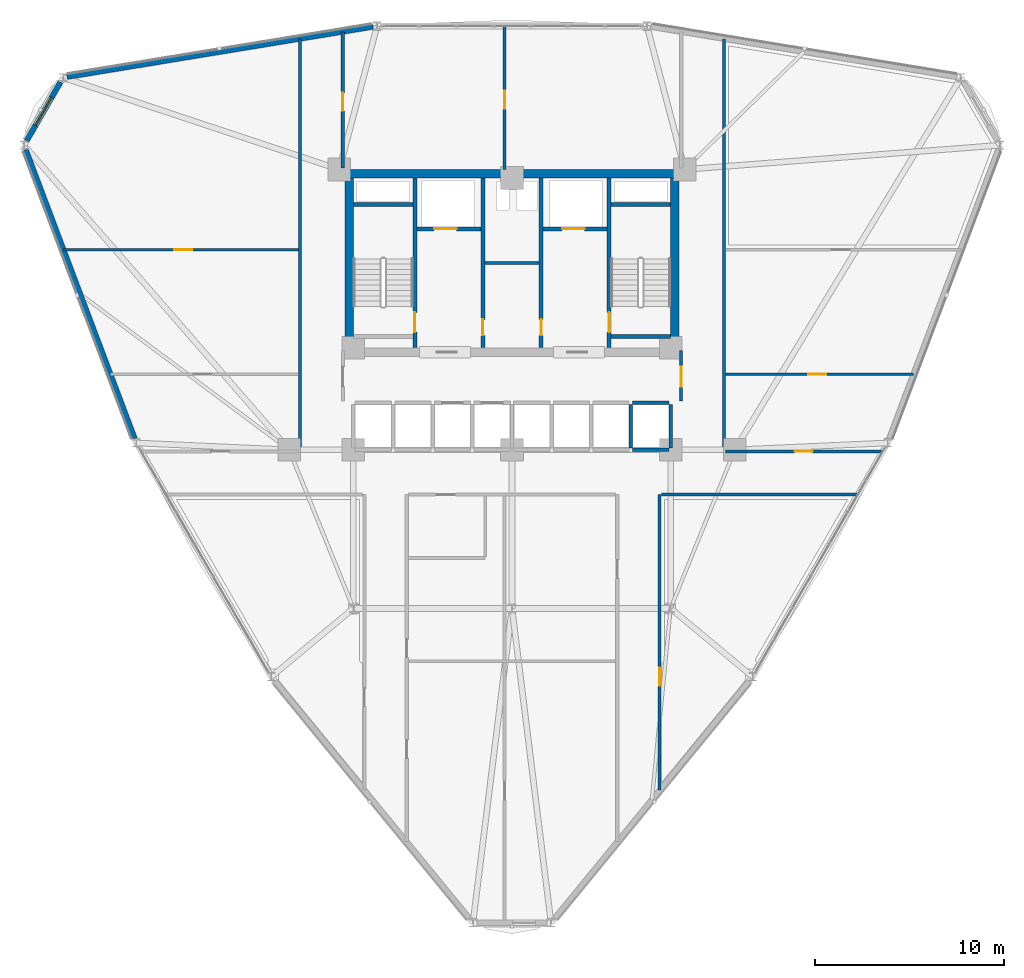
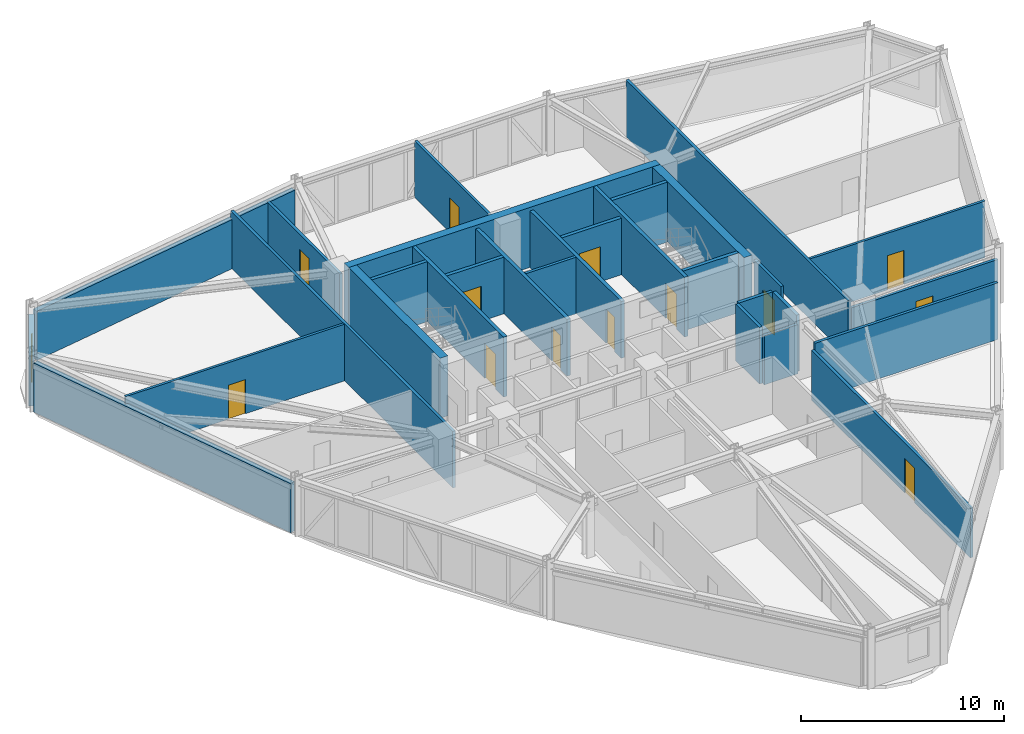
# One storey, part 13 of 17: 30 walls, 13 doors, 1 window, 14 openings.
"""IFC4 building model written with IfcOpenShell, lengths in metres."""

from ifc_helpers import new_model, si_unit, derived_unit, direction, frame, frame_2d, origin, place, context, subcontext, project, spatial, rectangle, extrude, material, layer, layer_set, type_object, element, fill, save


model = new_model("IFC4")

# Units and contexts
model_context = context("Model", 3, precision=1e-05, world=origin(), true_north=direction((0.0, 1.0)))
body_context = subcontext(model_context, "Body", "Model", "MODEL_VIEW")
ifc_project = project(units=[si_unit("LENGTHUNIT", "METRE"), si_unit("AREAUNIT", "SQUARE_METRE"), si_unit("VOLUMEUNIT", "CUBIC_METRE"), si_unit("PLANEANGLEUNIT", "RADIAN"), si_unit("MASSUNIT", "GRAM", prefix="KILO"), derived_unit("THERMALTRANSMITTANCEUNIT", [(si_unit("POWERUNIT", "WATT"), 1), (si_unit("LENGTHUNIT", "METRE"), -2), (si_unit("THERMODYNAMICTEMPERATUREUNIT", "KELVIN"), -1)])], contexts=[model_context])

# Site, building, storey
site_placement = place(None, origin())
site = spatial("IfcSite", under=ifc_project, at=site_placement, CompositionType="ELEMENT")
building_placement = place(site_placement, origin())
building = spatial("IfcBuilding", under=site, at=building_placement, Name="Korsvarv Bourse and Concert Hall", CompositionType="ELEMENT")
storey_placement = place(building_placement, frame((0.0, 0.0, 102.60009765625)))
storey = spatial("IfcBuildingStorey", under=building, at=storey_placement, Name="L25", CompositionType="ELEMENT", Elevation=102.60009765625)

# Wall, opening, door
ifc_material_1 = material(Name="Concrete C50/60", Category="concrete")
ifc_layer_1 = layer(ifc_material_1, 0.3798828125)
ifc_layer_set_1 = layer_set([ifc_layer_1], Name="Concrete C50/60")
wall_type_1 = type_object("IfcWallType", Name="WL-CORE-380", PredefinedType="SHEAR", material=ifc_layer_set_1)
wall_1_placement = place(storey_placement, frame((30.860107421875, 37.81005859375, 0.0), z_axis=(0.0, 0.0, 1.0), x_axis=(0.0, 1.0, 0.0)))
wall_1 = element("IfcWall", 1, at=wall_1_placement, inside=storey, type_object=wall_type_1, Name="L25 stair shaft structural wall W-L25-ST1-E", PredefinedType="SHEAR", context=body_context, shape_type="SweptSolid", body=[
    extrude(rectangle(XDim=8.97998046875, YDim=0.199951171875, at=frame_2d((4.489990234375, 0.0))), origin(), (0.0, 0.0, 1.0), 3.599853515625),
])
opening_1_placement = place(wall_1_placement, frame((0.820068359375, 0.0, 0.0)))
opening_1 = element("IfcOpeningElement", 2, at=opening_1_placement, cuts=wall_1, Name="Opening D-01", PredefinedType="OPENING", context=body_context, shape_type="SweptSolid", body=[
    extrude(rectangle(XDim=1.050048828125, YDim=2.10009765625, at=frame_2d((0.52490234375, 1.050048828125))), frame((0.0, 0.10986328125, 0.0), z_axis=(0.0, -1.0, 0.0), x_axis=(1.0, 0.0, 0.0)), (0.0, 0.0, 1.0), 0.219970703125),
])
ifc_material_2 = material(Name="Steel S355 fire door", Category="steel")
door_type_1 = type_object("IfcDoorType", Name="DR-FD60", OperationType="NOTDEFINED", PredefinedType="DOOR", material=ifc_material_2)
door_1_placement = place(opening_1_placement, origin())
door_1 = element("IfcDoor", 3, at=door_1_placement, inside=storey, type_object=door_type_1, Name="L25 interior door DR-L25-ST1", OperationType="SINGLE_SWING_RIGHT", OverallHeight=2.10009765625, OverallWidth=1.050048828125, PredefinedType="DOOR", context=body_context, shape_type="SweptSolid", body=[
    extrude(rectangle(XDim=1.050048828125, YDim=2.10009765625, at=frame_2d((0.52490234375, 1.050048828125))), frame((0.0, 0.02490234375, 0.0), z_axis=(0.0, -1.0, 0.0), x_axis=(1.0, 0.0, 0.0)), (0.0, 0.0, 1.0), 0.050048828125),
])
fill(opening_1, door_1)

# Wall
wall_2_placement = place(storey_placement, frame((27.610107421875, 45.39990234375, 0.0), z_axis=(0.0, 0.0, 1.0), x_axis=(1.0, 0.0, 0.0)))
element("IfcWall", 4, at=wall_2_placement, inside=storey, type_object=wall_type_1, Name="L25 stair shaft structural wall W-L25-ST1-N", PredefinedType="SHEAR", context=body_context, shape_type="SweptSolid", body=[
    extrude(rectangle(XDim=3.139892578125, YDim=0.199951171875, at=frame_2d((1.56982421875, 0.0))), origin(), (0.0, 0.0, 1.0), 3.599853515625),
])

# Wall, opening, door
wall_3_placement = place(storey_placement, frame((41.139892578125, 37.81005859375, 0.0), z_axis=(0.0, 0.0, 1.0), x_axis=(0.0, 1.0, 0.0)))
wall_3 = element("IfcWall", 5, at=wall_3_placement, inside=storey, type_object=wall_type_1, Name="L25 stair shaft structural wall W-L25-ST2-W", PredefinedType="SHEAR", context=body_context, shape_type="SweptSolid", body=[
    extrude(rectangle(XDim=8.97998046875, YDim=0.199951171875, at=frame_2d((4.489990234375, 0.0))), origin(), (0.0, 0.0, 1.0), 3.599853515625),
])
opening_2_placement = place(wall_3_placement, frame((0.820068359375, 0.0, 0.0)))
opening_2 = element("IfcOpeningElement", 6, at=opening_2_placement, cuts=wall_3, Name="Opening D-01", PredefinedType="OPENING", context=body_context, shape_type="SweptSolid", body=[
    extrude(rectangle(XDim=1.050048828125, YDim=2.10009765625, at=frame_2d((0.52490234375, 1.050048828125))), frame((0.0, 0.10986328125, 0.0), z_axis=(0.0, -1.0, 0.0), x_axis=(1.0, 0.0, 0.0)), (0.0, 0.0, 1.0), 0.219970703125),
])
door_2_placement = place(opening_2_placement, frame((1.050048828125, 0.0, 0.0), z_axis=(0.0, 0.0, 1.0), x_axis=(-1.0, 0.0, 0.0)))
door_2 = element("IfcDoor", 7, at=door_2_placement, inside=storey, type_object=door_type_1, Name="L25 interior door DR-L25-ST2", OperationType="SINGLE_SWING_LEFT", OverallHeight=2.10009765625, OverallWidth=1.050048828125, PredefinedType="DOOR", context=body_context, shape_type="SweptSolid", body=[
    extrude(rectangle(XDim=1.050048828125, YDim=2.10009765625, at=frame_2d((0.52490234375, 1.050048828125))), frame((0.0, 0.02490234375, 0.0), z_axis=(0.0, -1.0, 0.0), x_axis=(1.0, 0.0, 0.0)), (0.0, 0.0, 1.0), 0.050048828125),
])
fill(opening_2, door_2)

# Walls
for number, where, z_axis, x_axis, name in (
    (8, (41.25, 45.39990234375, 0.0), (0.0, 0.0, 1.0), (1.0, 0.0, 0.0), "L25 stair shaft structural wall W-L25-ST2-N"),
    (9, (41.25, 38.39990234375, 0.0), (0.0, 0.0, 1.0), (1.0, 0.0, 0.0), "L25 stair shaft structural wall W-L25-ST2-S"),
):
    element("IfcWall", number, at=place(storey_placement, frame(where, z_axis=z_axis, x_axis=x_axis)), inside=storey, type_object=wall_type_1, Name=name, PredefinedType="SHEAR", context=body_context, shape_type="SweptSolid", body=[
        extrude(rectangle(XDim=3.139892578125, YDim=0.199951171875, at=frame_2d((1.56982421875, 0.0))), origin(), (0.0, 0.0, 1.0), 3.599853515625),
    ])
ifc_material_3 = material(Name="Concrete C55/67", Category="concrete")
ifc_layer_2 = layer(ifc_material_3, 0.449951171875)
ifc_layer_set_2 = layer_set([ifc_layer_2], Name="Concrete C55/67")
wall_type_2 = type_object("IfcWallType", Name="WL-CORE-450", PredefinedType="SHEAR", material=ifc_layer_set_2)
wall_4_placement = place(storey_placement, frame((27.14990234375, 47.02490234375, 0.0), z_axis=(0.0, 0.0, 1.0), x_axis=(1.0, 0.0, 0.0)))
element("IfcWall", 10, at=wall_4_placement, inside=storey, type_object=wall_type_2, Name="L25 North Core Shear Wall", PredefinedType="SHEAR", context=body_context, shape_type="SweptSolid", body=[
    extrude(rectangle(XDim=17.7001953125, YDim=0.449951171875, at=frame_2d((8.85009765625, 0.0))), origin(), (0.0, 0.0, 1.0), 3.599853515625),
])
for number, where, z_axis, x_axis, name in (
    (11, (27.375, 37.800048828125, 0.0), (0.0, 0.0, 1.0), (0.0, 1.0, 0.0), "L25 West Core Shear Wall"),
    (12, (44.625, 37.800048828125, 0.0), (0.0, 0.0, 1.0), (0.0, 1.0, 0.0), "L25 East Core Shear Wall"),
):
    element("IfcWall", number, at=place(storey_placement, frame(where, z_axis=z_axis, x_axis=x_axis)), inside=storey, type_object=wall_type_2, Name=name, PredefinedType="SHEAR", context=body_context, shape_type="SweptSolid", body=[
        extrude(rectangle(XDim=9.0, YDim=0.449951171875, at=frame_2d((4.5, 0.0))), origin(), (0.0, 0.0, 1.0), 3.599853515625),
    ])

# Wall, opening, window
ifc_material_4 = material(Name="Precast concrete C45/55 with terracotta rainscreen", Category="concrete")
ifc_layer_3 = layer(ifc_material_4, 0.300048828125)
ifc_layer_set_3 = layer_set([ifc_layer_3], Name="Precast concrete C45/55 with terracotta rainscreen")
wall_type_3 = type_object("IfcWallType", Name="WL-EXT-TC1", PredefinedType="SOLIDWALL", material=ifc_layer_set_3)
wall_5_placement = place(storey_placement, frame((12.0830078125, 51.886962890625, 0.0), z_axis=(0.0, 0.0, 1.0), x_axis=(-0.500012057535, -0.866018442252, 0.0)))
wall_5 = element("IfcWall", 13, at=wall_5_placement, inside=storey, type_object=wall_type_3, Name="L25 terracotta exterior wall EW-L25-B05", PredefinedType="SOLIDWALL", context=body_context, shape_type="SweptSolid", body=[
    extrude(rectangle(XDim=3.60009765625, YDim=0.300048828125, at=frame_2d((1.800048828125, 0.0))), origin(), (0.0, 0.0, 1.0), 3.0),
])
opening_3_placement = place(wall_5_placement, frame((0.949951171875, 0.0, 0.75)))
opening_3 = element("IfcOpeningElement", 14, at=opening_3_placement, cuts=wall_5, Name="Opening W-01", PredefinedType="OPENING", context=body_context, shape_type="SweptSolid", body=[
    extrude(rectangle(XDim=1.699951171875, YDim=1.75, at=frame_2d((0.85009765625, 0.875))), frame((0.0, 0.16015625, 0.0), z_axis=(0.0, -1.0, 0.0), x_axis=(1.0, 0.0, 0.0)), (0.0, 0.0, 1.0), 0.320068359375),
])
ifc_material_5 = material(Name="Thermally broken aluminium frame with triple low-E glass", Category="glass")
window_type = type_object("IfcWindowType", Name="WIN-TW1", PartitioningType="SINGLE_PANEL", PredefinedType="WINDOW", material=ifc_material_5)
window_placement = place(opening_3_placement, origin())
window = element("IfcWindow", 15, at=window_placement, inside=storey, type_object=window_type, Name="L25 punched facade window W-01", OverallHeight=1.75, OverallWidth=1.699951171875, PartitioningType="SINGLE_PANEL", PredefinedType="WINDOW", context=body_context, shape_type="SweptSolid", body=[
    extrude(rectangle(XDim=1.699951171875, YDim=1.75, at=frame_2d((0.85009765625, 0.875))), frame((0.0, 0.030029296875, 0.0), z_axis=(0.0, -1.0, 0.0), x_axis=(1.0, 0.0, 0.0)), (0.0, 0.0, 1.0), 0.06005859375),
])
fill(opening_3, window)

# Walls
ifc_material_6 = material(Name="Precast concrete C45/55 with fluted terracotta pier", Category="concrete")
ifc_layer_4 = layer(ifc_material_6, 0.280029296875)
ifc_layer_set_4 = layer_set([ifc_layer_4], Name="Precast concrete C45/55 with fluted terracotta pier")
wall_type_4 = type_object("IfcWallType", Name="WL-EXT-TC2", PredefinedType="SOLIDWALL", material=ifc_layer_set_4)
wall_6_placement = place(storey_placement, frame((28.63671875, 54.81640625, 0.0), z_axis=(0.0, 0.0, 1.0), x_axis=(-0.986776921995, -0.162084256539, 0.0)))
element("IfcWall", 16, at=wall_6_placement, inside=storey, type_object=wall_type_4, Name="L25 terracotta exterior wall EW-L25-B04", PredefinedType="SOLIDWALL", context=body_context, shape_type="SweptSolid", body=[
    extrude(rectangle(XDim=16.422607421875, YDim=0.280029296875, at=frame_2d((8.21142578125, 0.0))), origin(), (0.0, 0.0, 1.0), 2.949951171875),
])
wall_7_placement = place(storey_placement, frame((10.236572265625, 48.30419921875, 0.0), z_axis=(0.0, 0.0, 1.0), x_axis=(0.353021512356, -0.935615204993, 0.0)))
element("IfcWall", 17, at=wall_7_placement, inside=storey, type_object=wall_type_4, Name="L25 terracotta exterior wall EW-L25-B06", PredefinedType="SOLIDWALL", context=body_context, shape_type="SweptSolid", body=[
    extrude(rectangle(XDim=16.359130859375, YDim=0.280029296875, at=frame_2d((8.1796875, 0.0))), origin(), (0.0, 0.0, 1.0), 2.949951171875),
])

# Wall, opening, door
ifc_material_7 = material(Name="Reinforced concrete blockwork C35/45 fire wall", Category="concrete")
ifc_layer_5 = layer(ifc_material_7, 0.199951171875)
ifc_layer_set_5 = layer_set([ifc_layer_5], Name="Reinforced concrete blockwork C35/45 fire wall")
wall_type_5 = type_object("IfcWallType", Name="WL-INT-EI120", PredefinedType="PARTITIONING", material=ifc_layer_set_5)
wall_8_placement = place(storey_placement, frame((30.969970703125, 44.10009765625, 0.0), z_axis=(0.0, 0.0, 1.0), x_axis=(1.0, 0.0, 0.0)))
wall_8 = element("IfcWall", 18, at=wall_8_placement, inside=storey, type_object=wall_type_5, Name="L25 interior partition wall W-L25-FF1-S", PredefinedType="PARTITIONING", context=body_context, shape_type="SweptSolid", body=[
    extrude(rectangle(XDim=3.380126953125, YDim=0.199951171875, at=frame_2d((1.68994140625, 0.0))), origin(), (0.0, 0.0, 1.0), 3.39990234375),
])
opening_4_placement = place(wall_8_placement, frame((0.89990234375, 0.0, 0.0)))
opening_4 = element("IfcOpeningElement", 19, at=opening_4_placement, cuts=wall_8, Name="Opening LD-1", PredefinedType="OPENING", context=body_context, shape_type="SweptSolid", body=[
    extrude(rectangle(XDim=1.199951171875, YDim=2.10009765625, at=frame_2d((0.60009765625, 1.050048828125))), frame((0.0, 0.10986328125, 0.0), z_axis=(0.0, -1.0, 0.0), x_axis=(1.0, 0.0, 0.0)), (0.0, 0.0, 1.0), 0.219970703125),
])
ifc_material_8 = material(Name="Stainless Steel S355 firefighting lift landing door", Category="steel")
door_type_2 = type_object("IfcDoorType", Name="DR-LIFT-FF", OperationType="DOUBLE_DOOR_SLIDING", PredefinedType="DOOR", material=ifc_material_8)
door_3_placement = place(opening_4_placement, origin())
door_3 = element("IfcDoor", 20, at=door_3_placement, inside=storey, type_object=door_type_2, Name="L25 lift sliding landing door LD-L25-FF1", OperationType="DOUBLE_DOOR_SLIDING", OverallHeight=2.10009765625, OverallWidth=1.199951171875, PredefinedType="DOOR", context=body_context, shape_type="SweptSolid", body=[
    extrude(rectangle(XDim=1.199951171875, YDim=2.10009765625, at=frame_2d((0.60009765625, 1.050048828125))), frame((0.0, 0.02490234375, 0.0), z_axis=(0.0, -1.0, 0.0), x_axis=(1.0, 0.0, 0.0)), (0.0, 0.0, 1.0), 0.050048828125),
])
fill(opening_4, door_3)

wall_9_placement = place(storey_placement, frame((37.64990234375, 44.10009765625, 0.0), z_axis=(0.0, 0.0, 1.0), x_axis=(1.0, 0.0, 0.0)))
wall_9 = element("IfcWall", 21, at=wall_9_placement, inside=storey, type_object=wall_type_5, Name="L25 interior partition wall W-L25-FF2-S", PredefinedType="PARTITIONING", context=body_context, shape_type="SweptSolid", body=[
    extrude(rectangle(XDim=3.380126953125, YDim=0.199951171875, at=frame_2d((1.68994140625, 0.0))), origin(), (0.0, 0.0, 1.0), 3.39990234375),
])
opening_5_placement = place(wall_9_placement, frame((1.0, 0.0, 0.0)))
opening_5 = element("IfcOpeningElement", 22, at=opening_5_placement, cuts=wall_9, Name="Opening LD-1", PredefinedType="OPENING", context=body_context, shape_type="SweptSolid", body=[
    extrude(rectangle(XDim=1.199951171875, YDim=2.10009765625, at=frame_2d((0.60009765625, 1.050048828125))), frame((0.0, 0.10986328125, 0.0), z_axis=(0.0, -1.0, 0.0), x_axis=(1.0, 0.0, 0.0)), (0.0, 0.0, 1.0), 0.219970703125),
])
door_4_placement = place(opening_5_placement, origin())
door_4 = element("IfcDoor", 23, at=door_4_placement, inside=storey, type_object=door_type_2, Name="L25 lift sliding landing door LD-L25-FF2", OperationType="DOUBLE_DOOR_SLIDING", OverallHeight=2.10009765625, OverallWidth=1.199951171875, PredefinedType="DOOR", context=body_context, shape_type="SweptSolid", body=[
    extrude(rectangle(XDim=1.199951171875, YDim=2.10009765625, at=frame_2d((0.60009765625, 1.050048828125))), frame((0.0, 0.02490234375, 0.0), z_axis=(0.0, -1.0, 0.0), x_axis=(1.0, 0.0, 0.0)), (0.0, 0.0, 1.0), 0.050048828125),
])
fill(opening_5, door_4)

wall_10_placement = place(storey_placement, frame((34.4599609375, 37.81005859375, 0.0), z_axis=(0.0, 0.0, 1.0), x_axis=(0.0, 1.0, 0.0)))
wall_10 = element("IfcWall", 24, at=wall_10_placement, inside=storey, type_object=wall_type_5, Name="L25 interior partition wall W-L25-CSB-W", PredefinedType="PARTITIONING", context=body_context, shape_type="SweptSolid", body=[
    extrude(rectangle(XDim=8.97998046875, YDim=0.199951171875, at=frame_2d((4.489990234375, 0.0))), origin(), (0.0, 0.0, 1.0), 3.39990234375),
])
opening_6_placement = place(wall_10_placement, frame((0.64990234375, 0.0, 0.0)))
opening_6 = element("IfcOpeningElement", 25, at=opening_6_placement, cuts=wall_10, Name="Opening D-05", PredefinedType="OPENING", context=body_context, shape_type="SweptSolid", body=[
    extrude(rectangle(XDim=0.85009765625, YDim=2.050048828125, at=frame_2d((0.425048828125, 1.02490234375))), frame((0.0, 0.10986328125, 0.0), z_axis=(0.0, -1.0, 0.0), x_axis=(1.0, 0.0, 0.0)), (0.0, 0.0, 1.0), 0.219970703125),
])
door_type_3 = type_object("IfcDoorType", Name="DR-FD60-850X2050", OperationType="NOTDEFINED", PredefinedType="DOOR", material=ifc_material_2)
door_5_placement = place(opening_6_placement, frame((0.85009765625, 0.0, 0.0), z_axis=(0.0, 0.0, 1.0), x_axis=(-1.0, 0.0, 0.0)))
door_5 = element("IfcDoor", 26, at=door_5_placement, inside=storey, type_object=door_type_3, Name="L25 interior door DR-L25-CSB1", OperationType="SINGLE_SWING_RIGHT", OverallHeight=2.050048828125, OverallWidth=0.85009765625, PredefinedType="DOOR", context=body_context, shape_type="SweptSolid", body=[
    extrude(rectangle(XDim=0.85009765625, YDim=2.050048828125, at=frame_2d((0.425048828125, 1.02490234375))), frame((0.0, 0.02490234375, 0.0), z_axis=(0.0, -1.0, 0.0), x_axis=(1.0, 0.0, 0.0)), (0.0, 0.0, 1.0), 0.050048828125),
])
fill(opening_6, door_5)

wall_11_placement = place(storey_placement, frame((37.5400390625, 37.81005859375, 0.0), z_axis=(0.0, 0.0, 1.0), x_axis=(0.0, 1.0, 0.0)))
wall_11 = element("IfcWall", 27, at=wall_11_placement, inside=storey, type_object=wall_type_5, Name="L25 interior partition wall W-L25-CSB-E", PredefinedType="PARTITIONING", context=body_context, shape_type="SweptSolid", body=[
    extrude(rectangle(XDim=8.97998046875, YDim=0.199951171875, at=frame_2d((4.489990234375, 0.0))), origin(), (0.0, 0.0, 1.0), 3.39990234375),
])
opening_7_placement = place(wall_11_placement, frame((0.64990234375, 0.0, 0.0)))
opening_7 = element("IfcOpeningElement", 28, at=opening_7_placement, cuts=wall_11, Name="Opening D-05", PredefinedType="OPENING", context=body_context, shape_type="SweptSolid", body=[
    extrude(rectangle(XDim=0.85009765625, YDim=2.050048828125, at=frame_2d((0.425048828125, 1.02490234375))), frame((0.0, 0.10986328125, 0.0), z_axis=(0.0, -1.0, 0.0), x_axis=(1.0, 0.0, 0.0)), (0.0, 0.0, 1.0), 0.219970703125),
])
door_6_placement = place(opening_7_placement, origin())
door_6 = element("IfcDoor", 29, at=door_6_placement, inside=storey, type_object=door_type_3, Name="L25 interior door DR-L25-CSB2", OperationType="SINGLE_SWING_LEFT", OverallHeight=2.050048828125, OverallWidth=0.85009765625, PredefinedType="DOOR", context=body_context, shape_type="SweptSolid", body=[
    extrude(rectangle(XDim=0.85009765625, YDim=2.050048828125, at=frame_2d((0.425048828125, 1.02490234375))), frame((0.0, 0.02490234375, 0.0), z_axis=(0.0, -1.0, 0.0), x_axis=(1.0, 0.0, 0.0)), (0.0, 0.0, 1.0), 0.050048828125),
])
fill(opening_7, door_6)

# Wall
ifc_material_9 = material(Name="Double-stud fire-rated acoustic partition", Category="gypsum")
ifc_layer_6 = layer(ifc_material_9, 0.159912109375)
ifc_layer_set_6 = layer_set([ifc_layer_6], Name="Double-stud fire-rated acoustic partition")
wall_type_6 = type_object("IfcWallType", Name="WL-INT-EI60", PredefinedType="PARTITIONING", material=ifc_layer_set_6)
wall_12_placement = place(storey_placement, frame((34.570068359375, 42.300048828125, 0.0), z_axis=(0.0, 0.0, 1.0), x_axis=(1.0, 0.0, 0.0)))
element("IfcWall", 30, at=wall_12_placement, inside=storey, type_object=wall_type_6, Name="L25 interior partition wall W-L25-K1", PredefinedType="PARTITIONING", context=body_context, shape_type="SweptSolid", body=[
    extrude(rectangle(XDim=2.85986328125, YDim=0.159912109375, at=frame_2d((1.429931640625, 0.0))), origin(), (0.0, 0.0, 1.0), 3.39990234375),
])

# Wall, opening, door
wall_13_placement = place(storey_placement, frame((44.9599609375, 35.0, 0.0), z_axis=(0.0, 0.0, 1.0), x_axis=(0.0, 1.0, 0.0)))
wall_13 = element("IfcWall", 31, at=wall_13_placement, inside=storey, type_object=wall_type_6, Name="L25 interior partition wall W-L25-LOB-E", PredefinedType="PARTITIONING", context=body_context, shape_type="SweptSolid", body=[
    extrude(rectangle(XDim=2.64990234375, YDim=0.159912109375, at=frame_2d((1.324951171875, 0.0))), origin(), (0.0, 0.0, 1.0), 3.39990234375),
])
opening_8_placement = place(wall_13_placement, frame((0.75, 0.0, 0.0)))
opening_8 = element("IfcOpeningElement", 32, at=opening_8_placement, cuts=wall_13, Name="Opening D-01", PredefinedType="OPENING", context=body_context, shape_type="SweptSolid", body=[
    extrude(rectangle(XDim=1.050048828125, YDim=2.10009765625, at=frame_2d((0.52490234375, 1.050048828125))), frame((0.0, 0.08984375, 0.0), z_axis=(0.0, -1.0, 0.0), x_axis=(1.0, 0.0, 0.0)), (0.0, 0.0, 1.0), 0.179931640625),
])
door_7_placement = place(opening_8_placement, origin())
door_7 = element("IfcDoor", 33, at=door_7_placement, inside=storey, type_object=door_type_1, Name="L25 interior door DR-L25-LOBE", OperationType="SINGLE_SWING_LEFT", OverallHeight=2.10009765625, OverallWidth=1.050048828125, PredefinedType="DOOR", context=body_context, shape_type="SweptSolid", body=[
    extrude(rectangle(XDim=1.050048828125, YDim=2.10009765625, at=frame_2d((0.52490234375, 1.050048828125))), frame((0.0, 0.02490234375, 0.0), z_axis=(0.0, -1.0, 0.0), x_axis=(1.0, 0.0, 0.0)), (0.0, 0.0, 1.0), 0.050048828125),
])
fill(opening_8, door_7)

# Walls
for number, where, z_axis, x_axis, name in (
    (34, (47.22509765625, 32.31005859375, 0.0), (0.0, 0.0, 1.0), (0.0, 1.0, 0.0), "L25 interior partition wall W-L25-TCOR-01"),
    (35, (24.77490234375, 32.31005859375, 0.0), (0.0, 0.0, 1.0), (0.0, 1.0, 0.0), "L25 interior partition wall W-L25-TCOR-02"),
):
    element("IfcWall", number, at=place(storey_placement, frame(where, z_axis=z_axis, x_axis=x_axis)), inside=storey, type_object=wall_type_6, Name=name, PredefinedType="PARTITIONING", context=body_context, shape_type="SweptSolid", body=[
        extrude(rectangle(XDim=21.85205078125, YDim=0.159912109375, at=frame_2d((10.926025390625, 0.0))), origin(), (0.0, 0.0, 1.0), 3.39990234375),
    ])

# Wall, opening, door
wall_14_placement = place(storey_placement, frame((43.824951171875, 14.389892578125, 0.0), z_axis=(0.0, 0.0, 1.0), x_axis=(0.0, 1.0, 0.0)))
wall_14 = element("IfcWall", 36, at=wall_14_placement, inside=storey, type_object=wall_type_6, Name="L25 interior partition wall W-L25-TCOR-06", PredefinedType="PARTITIONING", context=body_context, shape_type="SweptSolid", body=[
    extrude(rectangle(XDim=15.64013671875, YDim=0.159912109375, at=frame_2d((7.820068359375, 0.0))), origin(), (0.0, 0.0, 1.0), 3.0),
])
opening_9_placement = place(wall_14_placement, frame((5.5078125, 0.0, 0.0)))
opening_9 = element("IfcOpeningElement", 37, at=opening_9_placement, cuts=wall_14, Name="Opening D-02", PredefinedType="OPENING", context=body_context, shape_type="SweptSolid", body=[
    extrude(rectangle(XDim=0.949951171875, YDim=2.050048828125, at=frame_2d((0.47509765625, 1.02490234375))), frame((0.0, 0.08984375, 0.0), z_axis=(0.0, -1.0, 0.0), x_axis=(1.0, 0.0, 0.0)), (0.0, 0.0, 1.0), 0.179931640625),
])
ifc_material_10 = material(Name="Timber and steel acoustic fire door", Category="wood")
door_type_4 = type_object("IfcDoorType", Name="DR-FD30", OperationType="NOTDEFINED", PredefinedType="DOOR", material=ifc_material_10)
door_8_placement = place(opening_9_placement, origin())
door_8 = element("IfcDoor", 38, at=door_8_placement, inside=storey, type_object=door_type_4, Name="L25 interior door DR-L25-TCOR-CC44", OperationType="SINGLE_SWING_RIGHT", OverallHeight=2.050048828125, OverallWidth=0.949951171875, PredefinedType="DOOR", context=body_context, shape_type="SweptSolid", body=[
    extrude(rectangle(XDim=0.949951171875, YDim=2.050048828125, at=frame_2d((0.47509765625, 1.02490234375))), frame((0.0, 0.02490234375, 0.0), z_axis=(0.0, -1.0, 0.0), x_axis=(1.0, 0.0, 0.0)), (0.0, 0.0, 1.0), 0.050048828125),
])
fill(opening_9, door_8)

# Wall
wall_15_placement = place(storey_placement, frame((43.906982421875, 30.02490234375, 0.0), z_axis=(0.0, 0.0, 1.0), x_axis=(1.0, 0.0, 0.0)))
element("IfcWall", 39, at=wall_15_placement, inside=storey, type_object=wall_type_6, Name="L25 interior partition wall W-L25-TCOR-09", PredefinedType="PARTITIONING", context=body_context, shape_type="SweptSolid", body=[
    extrude(rectangle(XDim=10.39111328125, YDim=0.159912109375, at=frame_2d((5.195556640625, 0.0))), origin(), (0.0, 0.0, 1.0), 3.39990234375),
])

# Wall, opening, door
wall_16_placement = place(storey_placement, frame((47.306884765625, 32.31494140625, 0.0), z_axis=(0.0, 0.0, 1.0), x_axis=(1.0, 0.0, 0.0)))
wall_16 = element("IfcWall", 40, at=wall_16_placement, inside=storey, type_object=wall_type_6, Name="L25 interior partition wall W-L25-TCOR-11", PredefinedType="PARTITIONING", context=body_context, shape_type="SweptSolid", body=[
    extrude(rectangle(XDim=8.3134765625, YDim=0.159912109375, at=frame_2d((4.15673828125, 0.0))), origin(), (0.0, 0.0, 1.0), 2.949951171875),
])
opening_10_placement = place(wall_16_placement, frame((3.667724609375, 0.0, 0.0)))
opening_10 = element("IfcOpeningElement", 41, at=opening_10_placement, cuts=wall_16, Name="Opening D-02", PredefinedType="OPENING", context=body_context, shape_type="SweptSolid", body=[
    extrude(rectangle(XDim=0.949951171875, YDim=2.050048828125, at=frame_2d((0.47509765625, 1.02490234375))), frame((0.0, 0.08984375, 0.0), z_axis=(0.0, -1.0, 0.0), x_axis=(1.0, 0.0, 0.0)), (0.0, 0.0, 1.0), 0.179931640625),
])
door_9_placement = place(opening_10_placement, origin())
door_9 = element("IfcDoor", 42, at=door_9_placement, inside=storey, type_object=door_type_4, Name="L25 interior door DR-L25-TCOR-RM11", OperationType="SINGLE_SWING_LEFT", OverallHeight=2.050048828125, OverallWidth=0.949951171875, PredefinedType="DOOR", context=body_context, shape_type="SweptSolid", body=[
    extrude(rectangle(XDim=0.949951171875, YDim=2.050048828125, at=frame_2d((0.47509765625, 1.02490234375))), frame((0.0, 0.02490234375, 0.0), z_axis=(0.0, -1.0, 0.0), x_axis=(1.0, 0.0, 0.0)), (0.0, 0.0, 1.0), 0.050048828125),
])
fill(opening_10, door_9)

wall_17_placement = place(storey_placement, frame((27.034912109375, 47.340087890625, 0.0), z_axis=(0.0, 0.0, 1.0), x_axis=(0.0, 1.0, 0.0)))
wall_17 = element("IfcWall", 43, at=wall_17_placement, inside=storey, type_object=wall_type_6, Name="L25 interior partition wall W-L25-TCOR-12", PredefinedType="PARTITIONING", context=body_context, shape_type="SweptSolid", body=[
    extrude(rectangle(XDim=7.193115234375, YDim=0.159912109375, at=frame_2d((3.5966796875, 0.0))), origin(), (0.0, 0.0, 1.0), 2.949951171875),
])
opening_11_placement = place(wall_17_placement, frame((3.017822265625, 0.0, 0.0)))
opening_11 = element("IfcOpeningElement", 44, at=opening_11_placement, cuts=wall_17, Name="Opening D-02", PredefinedType="OPENING", context=body_context, shape_type="SweptSolid", body=[
    extrude(rectangle(XDim=0.949951171875, YDim=2.050048828125, at=frame_2d((0.47509765625, 1.02490234375))), frame((0.0, 0.08984375, 0.0), z_axis=(0.0, -1.0, 0.0), x_axis=(1.0, 0.0, 0.0)), (0.0, 0.0, 1.0), 0.179931640625),
])
door_10_placement = place(opening_11_placement, origin())
door_10 = element("IfcDoor", 45, at=door_10_placement, inside=storey, type_object=door_type_4, Name="L25 interior door DR-L25-TCOR-RM55", OperationType="SINGLE_SWING_RIGHT", OverallHeight=2.050048828125, OverallWidth=0.949951171875, PredefinedType="DOOR", context=body_context, shape_type="SweptSolid", body=[
    extrude(rectangle(XDim=0.949951171875, YDim=2.050048828125, at=frame_2d((0.47509765625, 1.02490234375))), frame((0.0, 0.02490234375, 0.0), z_axis=(0.0, -1.0, 0.0), x_axis=(1.0, 0.0, 0.0)), (0.0, 0.0, 1.0), 0.050048828125),
])
fill(opening_11, door_10)

# Walls
ifc_material_11 = material(Name="Gypsum-clad autoclaved concrete shaft wall C30/37", Category="concrete")
ifc_layer_7 = layer(ifc_material_11, 0.179931640625)
ifc_layer_set_7 = layer_set([ifc_layer_7], Name="Gypsum-clad autoclaved concrete shaft wall C30/37")
wall_type_7 = type_object("IfcWallType", Name="WL-INT-EI90", PredefinedType="PARTITIONING", material=ifc_layer_set_7)
wall_18_placement = place(storey_placement, frame((42.389892578125, 34.89990234375, 0.0), z_axis=(0.0, 0.0, 1.0), x_axis=(1.0, 0.0, 0.0)))
element("IfcWall", 46, at=wall_18_placement, inside=storey, type_object=wall_type_7, Name="L25 interior partition wall W-L25-SHFN-PO2", PredefinedType="PARTITIONING", context=body_context, shape_type="SweptSolid", body=[
    extrude(rectangle(XDim=1.920166015625, YDim=0.179931640625, at=frame_2d((0.9599609375, 0.0))), origin(), (0.0, 0.0, 1.0), 3.39990234375),
])
wall_19_placement = place(storey_placement, frame((42.389892578125, 32.39990234375, 0.0), z_axis=(0.0, 0.0, 1.0), x_axis=(1.0, 0.0, 0.0)))
element("IfcWall", 47, at=wall_19_placement, inside=storey, type_object=wall_type_7, Name="L25 interior partition wall W-L25-SHFS-PO2", PredefinedType="PARTITIONING", context=body_context, shape_type="SweptSolid", body=[
    extrude(rectangle(XDim=1.920166015625, YDim=0.179931640625, at=frame_2d((0.9599609375, 0.0))), origin(), (0.0, 0.0, 1.0), 2.949951171875),
])
for number, where, z_axis, x_axis, name in (
    (48, (42.300048828125, 32.489990234375, 0.0), (0.0, 0.0, 1.0), (0.0, 1.0, 0.0), "L25 interior partition wall W-L25-SHFW-PO2"),
    (49, (44.39990234375, 32.489990234375, 0.0), (0.0, 0.0, 1.0), (0.0, 1.0, 0.0), "L25 interior partition wall W-L25-SHFE-END"),
):
    element("IfcWall", number, at=place(storey_placement, frame(where, z_axis=z_axis, x_axis=x_axis)), inside=storey, type_object=wall_type_7, Name=name, PredefinedType="PARTITIONING", context=body_context, shape_type="SweptSolid", body=[
        extrude(rectangle(XDim=2.320068359375, YDim=0.179931640625, at=frame_2d((1.16015625, 0.0))), origin(), (0.0, 0.0, 1.0), 3.39990234375),
    ])

# Wall, opening, door
ifc_material_12 = material(Name="Insulated steel-stud office acoustic partition", Category="gypsum")
ifc_layer_8 = layer(ifc_material_12, 0.139892578125)
ifc_layer_set_8 = layer_set([ifc_layer_8], Name="Insulated steel-stud office acoustic partition")
wall_type_8 = type_object("IfcWallType", Name="WL-INT-P1", PredefinedType="PARTITIONING", material=ifc_layer_set_8)
wall_20_placement = place(storey_placement, frame((12.256103515625, 43.0048828125, 0.0), z_axis=(0.0, 0.0, 1.0), x_axis=(1.0, 0.0, 0.0)))
wall_20 = element("IfcWall", 50, at=wall_20_placement, inside=storey, type_object=wall_type_8, Name="L25 interior partition wall W-L25-TCOR-16", PredefinedType="PARTITIONING", context=body_context, shape_type="SweptSolid", body=[
    extrude(rectangle(XDim=12.43701171875, YDim=0.139892578125, at=frame_2d((6.218505859375, 0.0))), origin(), (0.0, 0.0, 1.0), 3.39990234375),
])
opening_12_placement = place(wall_20_placement, frame((5.849853515625, 0.0, 0.0)))
opening_12 = element("IfcOpeningElement", 51, at=opening_12_placement, cuts=wall_20, Name="Opening D-03", PredefinedType="OPENING", context=body_context, shape_type="SweptSolid", body=[
    extrude(rectangle(XDim=0.949951171875, YDim=2.050048828125, at=frame_2d((0.47509765625, 1.02490234375))), frame((0.0, 0.080078125, 0.0), z_axis=(0.0, -1.0, 0.0), x_axis=(1.0, 0.0, 0.0)), (0.0, 0.0, 1.0), 0.159912109375),
])
ifc_material_13 = material(Name="Nordic oak acoustic office door", Category="wood")
door_type_5 = type_object("IfcDoorType", Name="DR-INT-1", OperationType="NOTDEFINED", PredefinedType="DOOR", material=ifc_material_13)
door_11_placement = place(opening_12_placement, origin())
door_11 = element("IfcDoor", 52, at=door_11_placement, inside=storey, type_object=door_type_5, Name="L25 interior door DR-L25-TCOR-RM1414", OperationType="SINGLE_SWING_LEFT", OverallHeight=2.050048828125, OverallWidth=0.949951171875, PredefinedType="DOOR", context=body_context, shape_type="SweptSolid", body=[
    extrude(rectangle(XDim=0.949951171875, YDim=2.050048828125, at=frame_2d((0.47509765625, 1.02490234375))), frame((0.0, 0.02490234375, 0.0), z_axis=(0.0, -1.0, 0.0), x_axis=(1.0, 0.0, 0.0)), (0.0, 0.0, 1.0), 0.050048828125),
])
fill(opening_12, door_11)

wall_21_placement = place(storey_placement, frame((47.306884765625, 36.405029296875, 0.0), z_axis=(0.0, 0.0, 1.0), x_axis=(1.0, 0.0, 0.0)))
wall_21 = element("IfcWall", 53, at=wall_21_placement, inside=storey, type_object=wall_type_8, Name="L25 interior partition wall W-L25-TCOR-18", PredefinedType="PARTITIONING", context=body_context, shape_type="SweptSolid", body=[
    extrude(rectangle(XDim=9.94677734375, YDim=0.139892578125, at=frame_2d((4.973388671875, 0.0))), origin(), (0.0, 0.0, 1.0), 3.39990234375),
])
opening_13_placement = place(wall_21_placement, frame((4.39111328125, 0.0, 0.0)))
opening_13 = element("IfcOpeningElement", 54, at=opening_13_placement, cuts=wall_21, Name="Opening D-03", PredefinedType="OPENING", context=body_context, shape_type="SweptSolid", body=[
    extrude(rectangle(XDim=0.949951171875, YDim=2.050048828125, at=frame_2d((0.47509765625, 1.02490234375))), frame((0.0, 0.080078125, 0.0), z_axis=(0.0, -1.0, 0.0), x_axis=(1.0, 0.0, 0.0)), (0.0, 0.0, 1.0), 0.159912109375),
])
door_12_placement = place(opening_13_placement, origin())
door_12 = element("IfcDoor", 55, at=door_12_placement, inside=storey, type_object=door_type_5, Name="L25 interior door DR-L25-TCOR-CC82", OperationType="SINGLE_SWING_RIGHT", OverallHeight=2.050048828125, OverallWidth=0.949951171875, PredefinedType="DOOR", context=body_context, shape_type="SweptSolid", body=[
    extrude(rectangle(XDim=0.949951171875, YDim=2.050048828125, at=frame_2d((0.47509765625, 1.02490234375))), frame((0.0, 0.02490234375, 0.0), z_axis=(0.0, -1.0, 0.0), x_axis=(1.0, 0.0, 0.0)), (0.0, 0.0, 1.0), 0.050048828125),
])
fill(opening_13, door_12)

wall_22_placement = place(storey_placement, frame((35.60498046875, 47.251953125, 0.0), z_axis=(0.0, 0.0, 1.0), x_axis=(0.0, 1.0, 0.0)))
wall_22 = element("IfcWall", 56, at=wall_22_placement, inside=storey, type_object=wall_type_8, Name="L25 interior partition wall W-L25-TCOR-20", PredefinedType="PARTITIONING", context=body_context, shape_type="SweptSolid", body=[
    extrude(rectangle(XDim=7.57958984375, YDim=0.139892578125, at=frame_2d((3.789794921875, 0.0))), origin(), (0.0, 0.0, 1.0), 3.39990234375),
])
opening_14_placement = place(wall_22_placement, frame((3.21142578125, 0.0, 0.0)))
opening_14 = element("IfcOpeningElement", 57, at=opening_14_placement, cuts=wall_22, Name="Opening D-03", PredefinedType="OPENING", context=body_context, shape_type="SweptSolid", body=[
    extrude(rectangle(XDim=0.949951171875, YDim=2.050048828125, at=frame_2d((0.47509765625, 1.02490234375))), frame((0.0, 0.080078125, 0.0), z_axis=(0.0, -1.0, 0.0), x_axis=(1.0, 0.0, 0.0)), (0.0, 0.0, 1.0), 0.159912109375),
])
door_13_placement = place(opening_14_placement, origin())
door_13 = element("IfcDoor", 58, at=door_13_placement, inside=storey, type_object=door_type_5, Name="L25 interior door DR-L25-TCOR-RM66", OperationType="SINGLE_SWING_RIGHT", OverallHeight=2.050048828125, OverallWidth=0.949951171875, PredefinedType="DOOR", context=body_context, shape_type="SweptSolid", body=[
    extrude(rectangle(XDim=0.949951171875, YDim=2.050048828125, at=frame_2d((0.47509765625, 1.02490234375))), frame((0.0, 0.02490234375, 0.0), z_axis=(0.0, -1.0, 0.0), x_axis=(1.0, 0.0, 0.0)), (0.0, 0.0, 1.0), 0.050048828125),
])
fill(opening_14, door_13)

save(model, "model.ifc")
